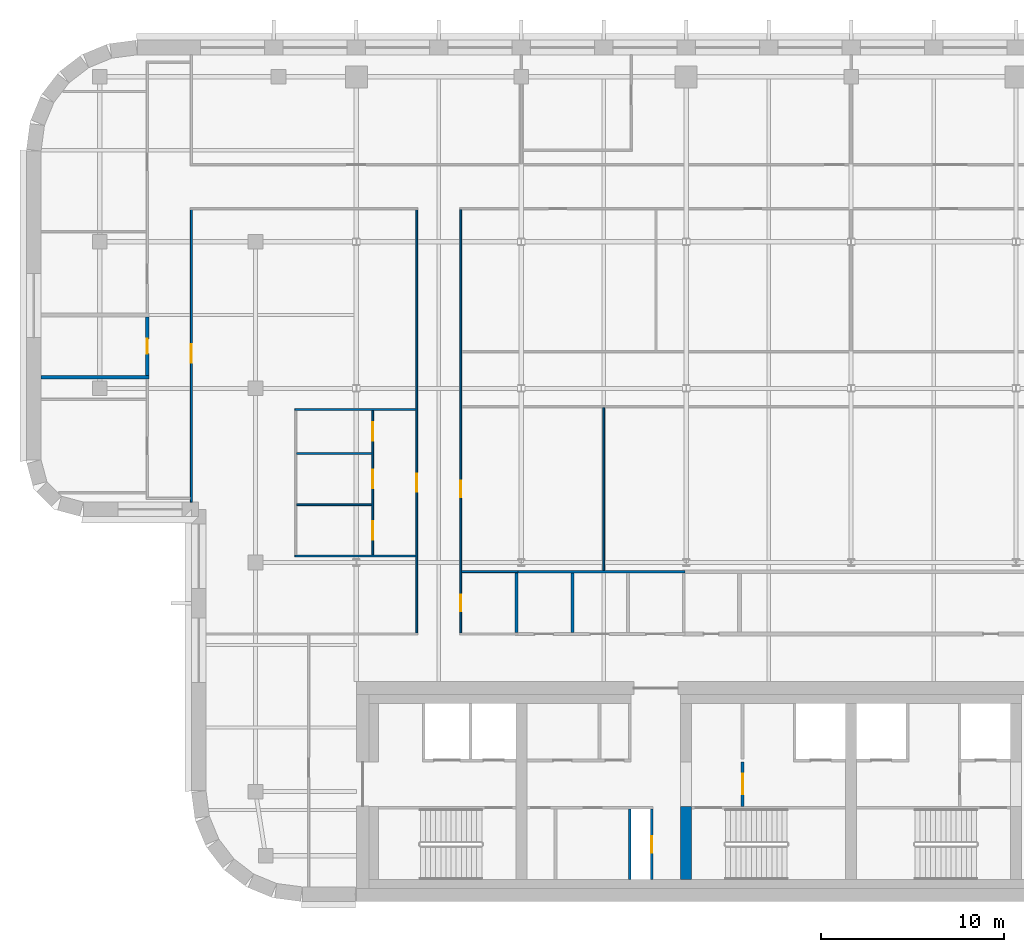
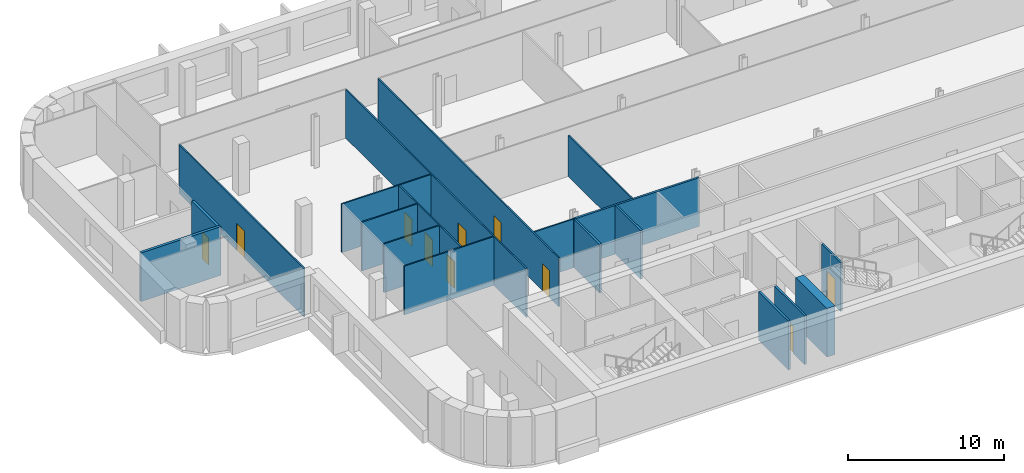
# One storey, part 8 of 16: 19 walls, 10 doors, 10 openings.
"""IFC4 building model written with IfcOpenShell, lengths in metres."""

from ifc_helpers import new_model, si_unit, direction, frame, frame_2d, origin, place, context, subcontext, project, spatial, rectangle, extrude, material, layer, layer_set, type_object, element, fill, save


model = new_model("IFC4")

# Units and contexts
model_context = context("Model", 3, precision=1e-05, world=origin(), true_north=direction((0.0, 1.0)))
body_context = subcontext(model_context, "Body", "Model", "MODEL_VIEW")
ifc_project = project(units=[si_unit("LENGTHUNIT", "METRE"), si_unit("AREAUNIT", "SQUARE_METRE"), si_unit("VOLUMEUNIT", "CUBIC_METRE"), si_unit("PLANEANGLEUNIT", "RADIAN"), si_unit("MASSUNIT", "GRAM", prefix="KILO")], contexts=[model_context])

# Site, building, storey
site_placement = place(None, origin())
site = spatial("IfcSite", under=ifc_project, at=site_placement, CompositionType="ELEMENT")
building_placement = place(site_placement, origin())
building = spatial("IfcBuilding", under=site, at=building_placement, Name="Zellij Exchange Tower", CompositionType="ELEMENT")
storey_placement = place(building_placement, frame((0.0, 0.0, 236.5)))
storey = spatial("IfcBuildingStorey", under=building, at=storey_placement, Name="L55", CompositionType="ELEMENT", Elevation=236.5)

# Wall
ifc_material_1 = material(Name="Concrete C50/60", Category="concrete")
ifc_layer_1 = layer(ifc_material_1, 0.60009765625)
ifc_layer_set_1 = layer_set([ifc_layer_1], Name="Concrete C50/60")
wall_type_1 = type_object("IfcWallType", Name="CORE-CW 600 C50/60", PredefinedType="SHEAR", material=ifc_layer_set_1)
wall_1_placement = place(storey_placement, frame((-9.0, -12.800048828125, 0.0), z_axis=(0.0, 0.0, 1.0), x_axis=(0.0, 1.0, 0.0)))
element("IfcWall", 1, at=wall_1_placement, inside=storey, type_object=wall_type_1, Name="Core cross wall pier x -9 a L55", PredefinedType="SHEAR", context=body_context, shape_type="SweptSolid", body=[
    extrude(rectangle(XDim=4.0, YDim=0.60009765625, at=frame_2d((2.0, 0.0))), origin(), (0.0, 0.0, 1.0), 3.800048828125),
])

# Wall, opening, door
ifc_material_2 = material(Name="Gypsum shaft wall system")
ifc_layer_2 = layer(ifc_material_2, 0.14990234375)
ifc_layer_set_2 = layer_set([ifc_layer_2], Name="Gypsum shaft wall system")
wall_type_2 = type_object("IfcWallType", Name="CORE-PW 150 Firefighting lobby wall", PredefinedType="PARTITIONING", material=ifc_layer_set_2)
wall_2_placement = place(storey_placement, frame((-5.925048828125, -8.800048828125, 0.0), z_axis=(0.0, 0.0, 1.0), x_axis=(0.0, 1.0, 0.0)))
wall_2 = element("IfcWall", 2, at=wall_2_placement, inside=storey, type_object=wall_type_2, Name="Firefighting lobby wall L55", PredefinedType="PARTITIONING", context=body_context, shape_type="SweptSolid", body=[
    extrude(rectangle(XDim=2.425048828125, YDim=0.14990234375, at=frame_2d((1.21240234375, 0.0))), origin(), (0.0, 0.0, 1.0), 3.800048828125),
])
opening_1_placement = place(wall_2_placement, frame((0.662109375, 0.0, 0.0)))
opening_1 = element("IfcOpeningElement", 3, at=opening_1_placement, cuts=wall_2, Name="Opening CA-29.12", PredefinedType="OPENING", context=body_context, shape_type="SweptSolid", body=[
    extrude(rectangle(XDim=1.10009765625, YDim=2.10009765625, at=frame_2d((0.550048828125, 1.050048828125))), frame((0.0, 0.0869140625, 0.0), z_axis=(0.0, -1.0, 0.0), x_axis=(1.0, 0.0, 0.0)), (0.0, 0.0, 1.0), 0.173828125),
])
ifc_material_3 = material(Name="Hollow metal fire door")
door_type_1 = type_object("IfcDoorType", Name="CORE-D F Firefighting lobby door 1100x2100 1 HR", OperationType="NOTDEFINED", PredefinedType="DOOR", material=ifc_material_3)
door_1_placement = place(opening_1_placement, origin())
door_1 = element("IfcDoor", 4, at=door_1_placement, inside=storey, type_object=door_type_1, Name="Firefighting lobby door CA-29.12", OperationType="SINGLE_SWING_LEFT", OverallHeight=2.10009765625, OverallWidth=1.10009765625, PredefinedType="DOOR", context=body_context, shape_type="SweptSolid", body=[
    extrude(rectangle(XDim=1.10009765625, YDim=2.10009765625, at=frame_2d((0.550048828125, 1.050048828125))), frame((0.0, 0.02490234375, 0.0), z_axis=(0.0, -1.0, 0.0), x_axis=(1.0, 0.0, 0.0)), (0.0, 0.0, 1.0), 0.050048828125),
])
fill(opening_1, door_1)

ifc_material_4 = material(Name="Gypsum board partition")
ifc_layer_3 = layer(ifc_material_4, 0.14990234375)
ifc_layer_set_3 = layer_set([ifc_layer_3], Name="Gypsum board partition")
wall_type_3 = type_object("IfcWallType", Name="CORE-PW 150 Lift lobby wall", PredefinedType="PARTITIONING", material=ifc_layer_set_3)
wall_3_placement = place(storey_placement, frame((-10.875, -12.800048828125, 0.0), z_axis=(0.0, 0.0, 1.0), x_axis=(0.0, 1.0, 0.0)))
wall_3 = element("IfcWall", 5, at=wall_3_placement, inside=storey, type_object=wall_type_3, Name="Lift lobby wall L55", PredefinedType="PARTITIONING", context=body_context, shape_type="SweptSolid", body=[
    extrude(rectangle(XDim=3.85009765625, YDim=0.14990234375, at=frame_2d((1.925048828125, 0.0))), origin(), (0.0, 0.0, 1.0), 3.800048828125),
])
opening_2_placement = place(wall_3_placement, frame((1.47509765625, 0.0, 0.0)))
opening_2 = element("IfcOpeningElement", 6, at=opening_2_placement, cuts=wall_3, Name="Opening CA-29.09", PredefinedType="OPENING", context=body_context, shape_type="SweptSolid", body=[
    extrude(rectangle(XDim=0.89990234375, YDim=2.10009765625, at=frame_2d((0.449951171875, 1.050048828125))), frame((0.0, 0.0869140625, 0.0), z_axis=(0.0, -1.0, 0.0), x_axis=(1.0, 0.0, 0.0)), (0.0, 0.0, 1.0), 0.173828125),
])
door_type_2 = type_object("IfcDoorType", Name="CORE-D RD Riser door 900x2100 1.5 HR", OperationType="NOTDEFINED", PredefinedType="DOOR", material=ifc_material_3)
door_2_placement = place(opening_2_placement, origin())
door_2 = element("IfcDoor", 7, at=door_2_placement, inside=storey, type_object=door_type_2, Name="Riser door CA-29.09", OperationType="SINGLE_SWING_RIGHT", OverallHeight=2.10009765625, OverallWidth=0.89990234375, PredefinedType="DOOR", context=body_context, shape_type="SweptSolid", body=[
    extrude(rectangle(XDim=0.89990234375, YDim=2.10009765625, at=frame_2d((0.449951171875, 1.050048828125))), frame((0.0, 0.02490234375, 0.0), z_axis=(0.0, -1.0, 0.0), x_axis=(1.0, 0.0, 0.0)), (0.0, 0.0, 1.0), 0.050048828125),
])
fill(opening_2, door_2)

# Walls
wall_4_placement = place(storey_placement, frame((-12.074951171875, -12.800048828125, 0.0), z_axis=(0.0, 0.0, 1.0), x_axis=(0.0, 1.0, 0.0)))
element("IfcWall", 8, at=wall_4_placement, inside=storey, type_object=wall_type_3, Name="Lift lobby wall L55", PredefinedType="PARTITIONING", context=body_context, shape_type="SweptSolid", body=[
    extrude(rectangle(XDim=3.85009765625, YDim=0.14990234375, at=frame_2d((1.925048828125, 0.0))), origin(), (0.0, 0.0, 1.0), 3.800048828125),
])
ifc_material_5 = material(Name="Blockwork partition", Category="masonry")
ifc_layer_4 = layer(ifc_material_5, 0.199951171875)
ifc_layer_set_4 = layer_set([ifc_layer_4], Name="Blockwork partition")
wall_type_4 = type_object("IfcWallType", Name="FIT-BLOCKWORK-200", PredefinedType="PARTITIONING", material=ifc_layer_set_4)
wall_5_placement = place(storey_placement, frame((-44.199951171875, 14.60009765625, 0.0), z_axis=(0.0, 0.0, 1.0), x_axis=(1.0, 0.0, 0.0)))
element("IfcWall", 9, at=wall_5_placement, inside=storey, type_object=wall_type_4, Name="FIT-BLOCKWORK-200 035", PredefinedType="PARTITIONING", context=body_context, shape_type="SweptSolid", body=[
    extrude(rectangle(XDim=5.89990234375, YDim=0.199951171875, at=frame_2d((2.949951171875, 0.0))), origin(), (0.0, 0.0, 1.0), 3.800048828125),
])

# Wall, opening, door
wall_6_placement = place(storey_placement, frame((-38.39990234375, 14.699951171875, 0.0), z_axis=(0.0, 0.0, 1.0), x_axis=(0.0, 1.0, 0.0)))
wall_6 = element("IfcWall", 10, at=wall_6_placement, inside=storey, type_object=wall_type_4, Name="FIT-BLOCKWORK-200 036", PredefinedType="PARTITIONING", context=body_context, shape_type="SweptSolid", body=[
    extrude(rectangle(XDim=3.199951171875, YDim=0.199951171875, at=frame_2d((1.60009765625, 0.0))), origin(), (0.0, 0.0, 1.0), 3.800048828125),
])
opening_3_placement = place(wall_6_placement, frame((1.199951171875, 0.0, 0.0)))
opening_3 = element("IfcOpeningElement", 11, at=opening_3_placement, cuts=wall_6, Name="Opening O4C.18", PredefinedType="OPENING", context=body_context, shape_type="SweptSolid", body=[
    extrude(rectangle(XDim=0.800048828125, YDim=2.10009765625, at=frame_2d((0.39990234375, 1.050048828125))), frame((0.0, 0.11181640625, 0.0), z_axis=(0.0, -1.0, 0.0), x_axis=(1.0, 0.0, 0.0)), (0.0, 0.0, 1.0), 0.223876953125),
])
ifc_material_6 = material(Name="Timber door set", Category="wood")
door_type_3 = type_object("IfcDoorType", Name="FIT-D6-SERVICE-800X2100", OperationType="SINGLE_SWING_LEFT", PredefinedType="DOOR", material=ifc_material_6)
door_3_placement = place(opening_3_placement, origin())
door_3 = element("IfcDoor", 12, at=door_3_placement, inside=storey, type_object=door_type_3, Name="Door O4C.18", OperationType="SINGLE_SWING_LEFT", OverallHeight=2.10009765625, OverallWidth=0.800048828125, PredefinedType="DOOR", context=body_context, shape_type="SweptSolid", body=[
    extrude(rectangle(XDim=0.800048828125, YDim=2.10009765625, at=frame_2d((0.39990234375, 1.050048828125))), frame((0.0, 0.02490234375, 0.0), z_axis=(0.0, -1.0, 0.0), x_axis=(1.0, 0.0, 0.0)), (0.0, 0.0, 1.0), 0.050048828125),
])
fill(opening_3, door_3)

ifc_material_7 = material(Name="Gypsum board partition on steel studs", Category="steel")
ifc_layer_5 = layer(ifc_material_7, 0.10009765625)
ifc_layer_set_5 = layer_set([ifc_layer_5], Name="Gypsum board partition on steel studs")
wall_type_5 = type_object("IfcWallType", Name="FIT-PARTITION-100", PredefinedType="PARTITIONING", material=ifc_layer_set_5)
wall_7_placement = place(storey_placement, frame((-23.699951171875, 0.64990234375, 0.0), z_axis=(0.0, 0.0, 1.0), x_axis=(0.0, 1.0, 0.0)))
wall_7 = element("IfcWall", 13, at=wall_7_placement, inside=storey, type_object=wall_type_5, Name="FIT-PARTITION-100 005", PredefinedType="PARTITIONING", context=body_context, shape_type="SweptSolid", body=[
    extrude(rectangle(XDim=23.10009765625, YDim=0.10009765625, at=frame_2d((11.550048828125, 0.0))), origin(), (0.0, 0.0, 1.0), 3.800048828125),
])
opening_4_placement = place(wall_7_placement, frame((7.699951171875, 0.0, 0.0)))
opening_4 = element("IfcOpeningElement", 14, at=opening_4_placement, cuts=wall_7, Name="Opening O4C.13", PredefinedType="OPENING", context=body_context, shape_type="SweptSolid", body=[
    extrude(rectangle(XDim=1.0, YDim=2.10009765625, at=frame_2d((0.5, 1.050048828125))), frame((0.0, 0.06201171875, 0.0), z_axis=(0.0, -1.0, 0.0), x_axis=(1.0, 0.0, 0.0)), (0.0, 0.0, 1.0), 0.1240234375),
])
door_type_4 = type_object("IfcDoorType", Name="FIT-D2-WIDE-1000X2100", OperationType="SINGLE_SWING_LEFT", PredefinedType="DOOR", material=ifc_material_6)
door_4_placement = place(opening_4_placement, origin())
door_4 = element("IfcDoor", 15, at=door_4_placement, inside=storey, type_object=door_type_4, Name="Door O4C.13", OperationType="SINGLE_SWING_RIGHT", OverallHeight=2.10009765625, OverallWidth=1.0, PredefinedType="DOOR", context=body_context, shape_type="SweptSolid", body=[
    extrude(rectangle(XDim=1.0, YDim=2.10009765625, at=frame_2d((0.5, 1.050048828125))), frame((0.0, 0.02490234375, 0.0), z_axis=(0.0, -1.0, 0.0), x_axis=(1.0, 0.0, 0.0)), (0.0, 0.0, 1.0), 0.050048828125),
])
fill(opening_4, door_4)

# Wall, openings, doors
wall_8_placement = place(storey_placement, frame((-21.300048828125, 0.64990234375, 0.0), z_axis=(0.0, 0.0, 1.0), x_axis=(0.0, 1.0, 0.0)))
wall_8 = element("IfcWall", 16, at=wall_8_placement, inside=storey, type_object=wall_type_5, Name="FIT-PARTITION-100 007", PredefinedType="PARTITIONING", context=body_context, shape_type="SweptSolid", body=[
    extrude(rectangle(XDim=23.10009765625, YDim=0.10009765625, at=frame_2d((11.550048828125, 0.0))), origin(), (0.0, 0.0, 1.0), 3.800048828125),
])
opening_5_placement = place(wall_8_placement, frame((1.199951171875, 0.0, 0.0)))
opening_5 = element("IfcOpeningElement", 17, at=opening_5_placement, cuts=wall_8, Name="Opening O4C.08", PredefinedType="OPENING", context=body_context, shape_type="SweptSolid", body=[
    extrude(rectangle(XDim=0.89990234375, YDim=2.10009765625, at=frame_2d((0.449951171875, 1.050048828125))), frame((0.0, 0.06201171875, 0.0), z_axis=(0.0, -1.0, 0.0), x_axis=(1.0, 0.0, 0.0)), (0.0, 0.0, 1.0), 0.1240234375),
])
opening_6_placement = place(wall_8_placement, frame((7.39990234375, 0.0, 0.0)))
opening_6 = element("IfcOpeningElement", 18, at=opening_6_placement, cuts=wall_8, Name="Opening O4C.11", PredefinedType="OPENING", context=body_context, shape_type="SweptSolid", body=[
    extrude(rectangle(XDim=0.89990234375, YDim=2.10009765625, at=frame_2d((0.449951171875, 1.050048828125))), frame((0.0, 0.06201171875, 0.0), z_axis=(0.0, -1.0, 0.0), x_axis=(1.0, 0.0, 0.0)), (0.0, 0.0, 1.0), 0.1240234375),
])
door_type_5 = type_object("IfcDoorType", Name="FIT-D1-ROOM-900X2100", OperationType="SINGLE_SWING_LEFT", PredefinedType="DOOR", material=ifc_material_6)
door_5_placement = place(opening_5_placement, origin())
door_5 = element("IfcDoor", 19, at=door_5_placement, inside=storey, type_object=door_type_5, Name="Door O4C.08", OperationType="SINGLE_SWING_LEFT", OverallHeight=2.10009765625, OverallWidth=0.89990234375, PredefinedType="DOOR", context=body_context, shape_type="SweptSolid", body=[
    extrude(rectangle(XDim=0.89990234375, YDim=2.10009765625, at=frame_2d((0.449951171875, 1.050048828125))), frame((0.0, 0.02490234375, 0.0), z_axis=(0.0, -1.0, 0.0), x_axis=(1.0, 0.0, 0.0)), (0.0, 0.0, 1.0), 0.050048828125),
])
fill(opening_5, door_5)
door_6_placement = place(opening_6_placement, origin())
door_6 = element("IfcDoor", 20, at=door_6_placement, inside=storey, type_object=door_type_5, Name="Door O4C.11", OperationType="SINGLE_SWING_LEFT", OverallHeight=2.10009765625, OverallWidth=0.89990234375, PredefinedType="DOOR", context=body_context, shape_type="SweptSolid", body=[
    extrude(rectangle(XDim=0.89990234375, YDim=2.10009765625, at=frame_2d((0.449951171875, 1.050048828125))), frame((0.0, 0.02490234375, 0.0), z_axis=(0.0, -1.0, 0.0), x_axis=(1.0, 0.0, 0.0)), (0.0, 0.0, 1.0), 0.050048828125),
])
fill(opening_6, door_6)

# Walls
wall_9_placement = place(storey_placement, frame((-21.25, 4.0, 0.0), z_axis=(0.0, 0.0, 1.0), x_axis=(1.0, 0.0, 0.0)))
element("IfcWall", 21, at=wall_9_placement, inside=storey, type_object=wall_type_5, Name="FIT-PARTITION-100 018", PredefinedType="PARTITIONING", context=body_context, shape_type="SweptSolid", body=[
    extrude(rectangle(XDim=3.06494140625, YDim=0.10009765625, at=frame_2d((1.532470703125, 0.0))), origin(), (0.0, 0.0, 1.0), 3.800048828125),
])
wall_10_placement = place(storey_placement, frame((-13.5, 4.074951171875, 0.0), z_axis=(0.0, 0.0, 1.0), x_axis=(0.0, 1.0, 0.0)))
element("IfcWall", 22, at=wall_10_placement, inside=storey, type_object=wall_type_5, Name="FIT-PARTITION-100 020", PredefinedType="PARTITIONING", context=body_context, shape_type="SweptSolid", body=[
    extrude(rectangle(XDim=8.875, YDim=0.10009765625, at=frame_2d((4.4375, 0.0))), origin(), (0.0, 0.0, 1.0), 3.200439453125),
])
wall_11_placement = place(storey_placement, frame((-30.35009765625, 4.85009765625, 0.0), z_axis=(0.0, 0.0, 1.0), x_axis=(1.0, 0.0, 0.0)))
element("IfcWall", 23, at=wall_11_placement, inside=storey, type_object=wall_type_5, Name="FIT-PARTITION-100 023", PredefinedType="PARTITIONING", context=body_context, shape_type="SweptSolid", body=[
    extrude(rectangle(XDim=6.60009765625, YDim=0.10009765625, at=frame_2d((3.300048828125, 0.0))), origin(), (0.0, 0.0, 1.0), 3.800048828125),
])

# Wall, openings, doors
wall_12_placement = place(storey_placement, frame((-26.10009765625, 4.89990234375, 0.0), z_axis=(0.0, 0.0, 1.0), x_axis=(0.0, 1.0, 0.0)))
wall_12 = element("IfcWall", 24, at=wall_12_placement, inside=storey, type_object=wall_type_5, Name="FIT-PARTITION-100 025", PredefinedType="PARTITIONING", context=body_context, shape_type="SweptSolid", body=[
    extrude(rectangle(XDim=7.900146484375, YDim=0.10009765625, at=frame_2d((3.9501953125, 0.0))), origin(), (0.0, 0.0, 1.0), 3.800048828125),
])
opening_7_placement = place(wall_12_placement, frame((0.85009765625, 0.0, 0.0)))
opening_7 = element("IfcOpeningElement", 25, at=opening_7_placement, cuts=wall_12, Name="Opening O4C.09", PredefinedType="OPENING", context=body_context, shape_type="SweptSolid", body=[
    extrude(rectangle(XDim=1.0, YDim=2.10009765625, at=frame_2d((0.5, 1.050048828125))), frame((0.0, 0.06201171875, 0.0), z_axis=(0.0, -1.0, 0.0), x_axis=(1.0, 0.0, 0.0)), (0.0, 0.0, 1.0), 0.1240234375),
])
opening_8_placement = place(wall_12_placement, frame((3.64990234375, 0.0, 0.0)))
opening_8 = element("IfcOpeningElement", 26, at=opening_8_placement, cuts=wall_12, Name="Opening O4C.14", PredefinedType="OPENING", context=body_context, shape_type="SweptSolid", body=[
    extrude(rectangle(XDim=1.0, YDim=2.10009765625, at=frame_2d((0.5, 1.050048828125))), frame((0.0, 0.06201171875, 0.0), z_axis=(0.0, -1.0, 0.0), x_axis=(1.0, 0.0, 0.0)), (0.0, 0.0, 1.0), 0.1240234375),
])
opening_9_placement = place(wall_12_placement, frame((6.25, 0.0, 0.0)))
opening_9 = element("IfcOpeningElement", 27, at=opening_9_placement, cuts=wall_12, Name="Opening O4C.16", PredefinedType="OPENING", context=body_context, shape_type="SweptSolid", body=[
    extrude(rectangle(XDim=1.0, YDim=2.10009765625, at=frame_2d((0.5, 1.050048828125))), frame((0.0, 0.06201171875, 0.0), z_axis=(0.0, -1.0, 0.0), x_axis=(1.0, 0.0, 0.0)), (0.0, 0.0, 1.0), 0.1240234375),
])
door_7_placement = place(opening_7_placement, origin())
door_7 = element("IfcDoor", 28, at=door_7_placement, inside=storey, type_object=door_type_4, Name="Door O4C.09", OperationType="SINGLE_SWING_RIGHT", OverallHeight=2.10009765625, OverallWidth=1.0, PredefinedType="DOOR", context=body_context, shape_type="SweptSolid", body=[
    extrude(rectangle(XDim=1.0, YDim=2.10009765625, at=frame_2d((0.5, 1.050048828125))), frame((0.0, 0.02490234375, 0.0), z_axis=(0.0, -1.0, 0.0), x_axis=(1.0, 0.0, 0.0)), (0.0, 0.0, 1.0), 0.050048828125),
])
fill(opening_7, door_7)
door_8_placement = place(opening_8_placement, origin())
door_8 = element("IfcDoor", 29, at=door_8_placement, inside=storey, type_object=door_type_4, Name="Door O4C.14", OperationType="SINGLE_SWING_LEFT", OverallHeight=2.10009765625, OverallWidth=1.0, PredefinedType="DOOR", context=body_context, shape_type="SweptSolid", body=[
    extrude(rectangle(XDim=1.0, YDim=2.10009765625, at=frame_2d((0.5, 1.050048828125))), frame((0.0, 0.02490234375, 0.0), z_axis=(0.0, -1.0, 0.0), x_axis=(1.0, 0.0, 0.0)), (0.0, 0.0, 1.0), 0.050048828125),
])
fill(opening_8, door_8)
door_9_placement = place(opening_9_placement, origin())
door_9 = element("IfcDoor", 30, at=door_9_placement, inside=storey, type_object=door_type_4, Name="Door O4C.16", OperationType="SINGLE_SWING_LEFT", OverallHeight=2.10009765625, OverallWidth=1.0, PredefinedType="DOOR", context=body_context, shape_type="SweptSolid", body=[
    extrude(rectangle(XDim=1.0, YDim=2.10009765625, at=frame_2d((0.5, 1.050048828125))), frame((0.0, 0.02490234375, 0.0), z_axis=(0.0, -1.0, 0.0), x_axis=(1.0, 0.0, 0.0)), (0.0, 0.0, 1.0), 0.050048828125),
])
fill(opening_9, door_9)

# Wall
wall_13_placement = place(storey_placement, frame((-30.25, 7.64990234375, 0.0), z_axis=(0.0, 0.0, 1.0), x_axis=(1.0, 0.0, 0.0)))
element("IfcWall", 31, at=wall_13_placement, inside=storey, type_object=wall_type_5, Name="FIT-PARTITION-100 026", PredefinedType="PARTITIONING", context=body_context, shape_type="SweptSolid", body=[
    extrude(rectangle(XDim=4.10009765625, YDim=0.10009765625, at=frame_2d((2.050048828125, 0.0))), origin(), (0.0, 0.0, 1.0), 3.800048828125),
])

# Wall, opening, door
wall_14_placement = place(storey_placement, frame((-36.0, 7.800048828125, 0.0), z_axis=(0.0, 0.0, 1.0), x_axis=(0.0, 1.0, 0.0)))
wall_14 = element("IfcWall", 32, at=wall_14_placement, inside=storey, type_object=wall_type_5, Name="FIT-PARTITION-100 027", PredefinedType="PARTITIONING", context=body_context, shape_type="SweptSolid", body=[
    extrude(rectangle(XDim=15.949951171875, YDim=0.10009765625, at=frame_2d((7.97509765625, 0.0))), origin(), (0.0, 0.0, 1.0), 3.800048828125),
])
opening_10_placement = place(wall_14_placement, frame((7.60009765625, 0.0, 0.0)))
opening_10 = element("IfcOpeningElement", 33, at=opening_10_placement, cuts=wall_14, Name="Opening O4C.17", PredefinedType="OPENING", context=body_context, shape_type="SweptSolid", body=[
    extrude(rectangle(XDim=1.0, YDim=2.10009765625, at=frame_2d((0.5, 1.050048828125))), frame((0.0, 0.06201171875, 0.0), z_axis=(0.0, -1.0, 0.0), x_axis=(1.0, 0.0, 0.0)), (0.0, 0.0, 1.0), 0.1240234375),
])
door_10_placement = place(opening_10_placement, origin())
door_10 = element("IfcDoor", 34, at=door_10_placement, inside=storey, type_object=door_type_4, Name="Door O4C.17", OperationType="SINGLE_SWING_LEFT", OverallHeight=2.10009765625, OverallWidth=1.0, PredefinedType="DOOR", context=body_context, shape_type="SweptSolid", body=[
    extrude(rectangle(XDim=1.0, YDim=2.10009765625, at=frame_2d((0.5, 1.050048828125))), frame((0.0, 0.02490234375, 0.0), z_axis=(0.0, -1.0, 0.0), x_axis=(1.0, 0.0, 0.0)), (0.0, 0.0, 1.0), 0.050048828125),
])
fill(opening_10, door_10)

# Walls
wall_15_placement = place(storey_placement, frame((-30.25, 10.449951171875, 0.0), z_axis=(0.0, 0.0, 1.0), x_axis=(1.0, 0.0, 0.0)))
element("IfcWall", 35, at=wall_15_placement, inside=storey, type_object=wall_type_5, Name="FIT-PARTITION-100 031", PredefinedType="PARTITIONING", context=body_context, shape_type="SweptSolid", body=[
    extrude(rectangle(XDim=4.10009765625, YDim=0.10009765625, at=frame_2d((2.050048828125, 0.0))), origin(), (0.0, 0.0, 1.0), 3.800048828125),
])
wall_16_placement = place(storey_placement, frame((-30.35009765625, 12.85009765625, 0.0), z_axis=(0.0, 0.0, 1.0), x_axis=(1.0, 0.0, 0.0)))
element("IfcWall", 36, at=wall_16_placement, inside=storey, type_object=wall_type_5, Name="FIT-PARTITION-100 032", PredefinedType="PARTITIONING", context=body_context, shape_type="SweptSolid", body=[
    extrude(rectangle(XDim=6.60009765625, YDim=0.10009765625, at=frame_2d((3.300048828125, 0.0))), origin(), (0.0, 0.0, 1.0), 3.800048828125),
])
ifc_material_8 = material(Name="Gypsum board shaft-wall partition", Category="gypsum")
ifc_layer_6 = layer(ifc_material_8, 0.14990234375)
ifc_layer_set_6 = layer_set([ifc_layer_6], Name="Gypsum board shaft-wall partition")
wall_type_6 = type_object("IfcWallType", Name="FIT-PARTITION-150-EI60", PredefinedType="PARTITIONING", material=ifc_layer_set_6)
for number, where, z_axis, x_axis, name in (
    (37, (-18.260009765625, 0.675048828125, 0.0), (0.0, 0.0, 1.0), (0.0, 1.0, 0.0), "FIT-PARTITION-150-EI60 009"),
    (38, (-15.2099609375, 0.675048828125, 0.0), (0.0, 0.0, 1.0), (0.0, 1.0, 0.0), "FIT-PARTITION-150-EI60 010"),
):
    element("IfcWall", number, at=place(storey_placement, frame(where, z_axis=z_axis, x_axis=x_axis)), inside=storey, type_object=wall_type_6, Name=name, PredefinedType="PARTITIONING", context=body_context, shape_type="SweptSolid", body=[
        extrude(rectangle(XDim=3.25, YDim=0.14990234375, at=frame_2d((1.625, 0.0))), origin(), (0.0, 0.0, 1.0), 3.800048828125),
    ])
wall_17_placement = place(storey_placement, frame((-18.3349609375, 4.0, 0.0), z_axis=(0.0, 0.0, 1.0), x_axis=(1.0, 0.0, 0.0)))
element("IfcWall", 39, at=wall_17_placement, inside=storey, type_object=wall_type_6, Name="FIT-PARTITION-150-EI60 019", PredefinedType="PARTITIONING", context=body_context, shape_type="SweptSolid", body=[
    extrude(rectangle(XDim=9.280029296875, YDim=0.14990234375, at=frame_2d((4.64013671875, 0.0))), origin(), (0.0, 0.0, 1.0), 3.800048828125),
])

save(model, "model.ifc")
